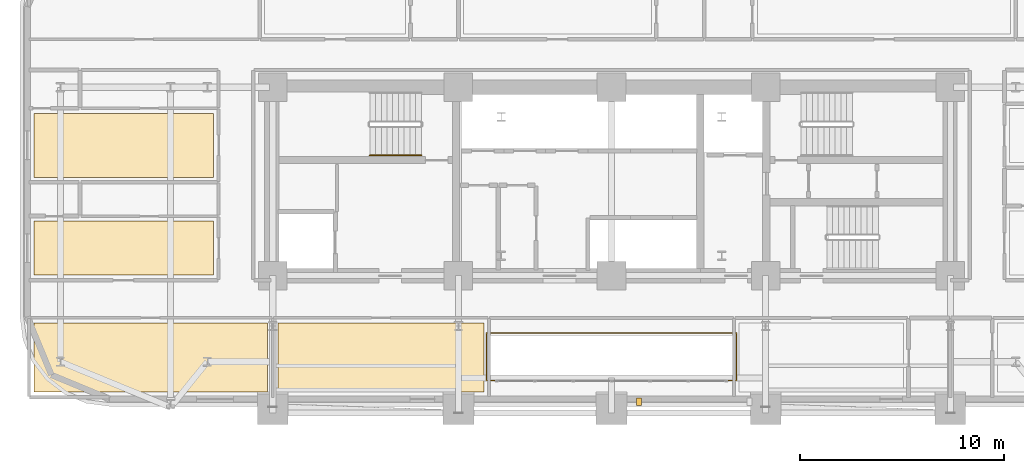
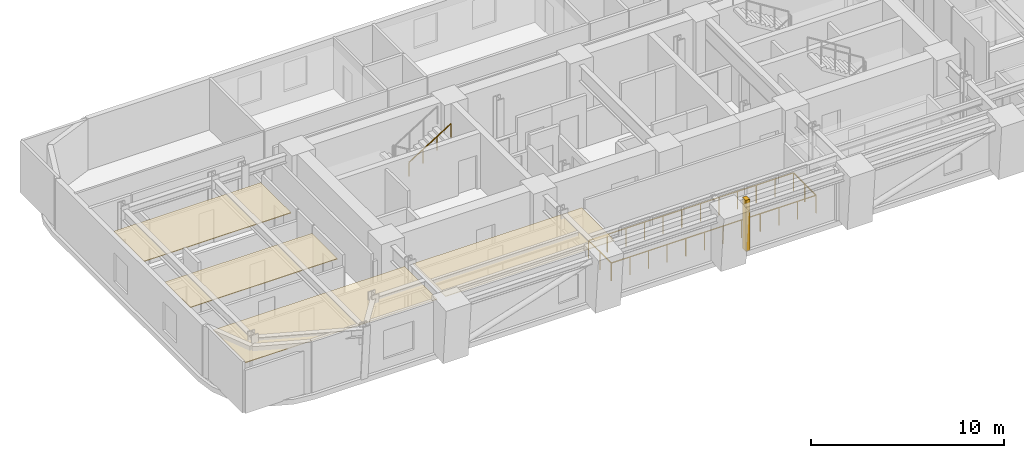
# One storey, part 13 of 16: 5 coverings, 2 railings.
"""IFC4 building model written with IfcOpenShell, lengths in metres."""

from ifc_helpers import new_model, si_unit, direction, frame, origin, origin_2d, place, context, subcontext, project, spatial, polyline, rectangle, outline, extrude, material, layer, layer_set, type_object, element, save


model = new_model("IFC4")

# Units and contexts
model_context = context("Model", 3, precision=1e-05, world=origin(), true_north=direction((0.0, 1.0)))
body_context = subcontext(model_context, "Body", "Model", "MODEL_VIEW")
ifc_project = project(units=[si_unit("LENGTHUNIT", "METRE"), si_unit("AREAUNIT", "SQUARE_METRE"), si_unit("VOLUMEUNIT", "CUBIC_METRE"), si_unit("PLANEANGLEUNIT", "RADIAN"), si_unit("MASSUNIT", "GRAM", prefix="KILO")], contexts=[model_context])

# Site, building, storey
site_placement = place(None, origin())
site = spatial("IfcSite", under=ifc_project, at=site_placement, CompositionType="ELEMENT")
building_placement = place(site_placement, origin())
building = spatial("IfcBuilding", under=site, at=building_placement, Name="Zarnavel Station Tower", CompositionType="ELEMENT")
storey_placement = place(building_placement, frame((0.0, 0.0, 53.5)))
storey = spatial("IfcBuildingStorey", under=building, at=storey_placement, Name="L14", CompositionType="ELEMENT", Elevation=53.5)

# Coverings
ifc_material_1 = material(Name="Perforated Gypsum and Mineral-Wool Acoustic Ceiling", Category="concrete")
ifc_layer = layer(ifc_material_1, 0.0400390625)
ifc_layer_set = layer_set([ifc_layer], Name="COV_CEIL_ACOUSTIC")
covering_type_1 = type_object("IfcCoveringType", Name="COV_CEIL_ACOUSTIC", PredefinedType="CEILING", material=ifc_layer_set)
covering_1_placement = place(storey_placement, frame((0.0, 0.0, 2.919921875)))
element("IfcCovering", 1, at=covering_1_placement, inside=storey, type_object=covering_type_1, Name="L14 FNW1R Acoustic Ceiling", PredefinedType="CEILING", context=body_context, shape_type="SweptSolid", body=[
    extrude(outline(polyline([(0.510009765625, 27.85009765625), (9.300048828125, 27.85009765625), (9.300048828125, 30.490966796875), (0.510009765625, 30.490966796875), (0.510009765625, 27.85009765625)])), origin(), (0.0, 0.0, 1.0), 0.0400390625),
])
covering_2_placement = place(storey_placement, frame((0.0, 0.0, 2.919921875)))
element("IfcCovering", 2, at=covering_2_placement, inside=storey, type_object=covering_type_1, Name="L14 FNW2R Acoustic Ceiling", PredefinedType="CEILING", context=body_context, shape_type="SweptSolid", body=[
    extrude(outline(polyline([(0.510009765625, 32.64111328125), (9.300048828125, 32.64111328125), (9.300048828125, 35.777099609375), (0.510009765625, 35.777099609375), (0.510009765625, 32.64111328125)])), origin(), (0.0, 0.0, 1.0), 0.0400390625),
])
covering_3_placement = place(storey_placement, frame((0.0, 0.0, 2.919921875)))
element("IfcCovering", 3, at=covering_3_placement, inside=storey, type_object=covering_type_1, Name="L14 Z1BIZ Acoustic Ceiling", PredefinedType="CEILING", context=body_context, shape_type="SweptSolid", body=[
    extrude(outline(polyline([(0.510009765625, 22.110107421875), (11.949951171875, 22.110107421875), (11.949951171875, 25.5), (0.510009765625, 25.5), (0.510009765625, 22.110107421875)])), origin(), (0.0, 0.0, 1.0), 0.0400390625),
])
covering_4_placement = place(storey_placement, frame((0.0, 0.0, 2.919921875)))
element("IfcCovering", 4, at=covering_4_placement, inside=storey, type_object=covering_type_1, Name="L14 Z1BRD Acoustic Ceiling", PredefinedType="CEILING", context=body_context, shape_type="SweptSolid", body=[
    extrude(outline(polyline([(12.449951171875, 22.110107421875), (22.550048828125, 22.110107421875), (22.550048828125, 25.5), (12.449951171875, 25.5), (12.449951171875, 22.110107421875)])), origin(), (0.0, 0.0, 1.0), 0.0400390625),
])
ifc_material_2 = material(Name="Precast concrete C45/55 (Pale Travertine Slab Band)", Category="masonry")
covering_type_2 = type_object("IfcCoveringType", Name="COV_TRAVERTINE_BAND", PredefinedType="CLADDING", material=ifc_material_2)
covering_5_placement = place(storey_placement, frame((30.14990234375, 21.64990234375, 0.0), z_axis=(0.0, 0.0, 1.0), x_axis=(1.0, 0.0, 0.0)))
element("IfcCovering", 5, at=covering_5_placement, inside=storey, type_object=covering_type_2, Name="L14 Travertine Portal Loggia Vertical Jog West", PredefinedType="CLADDING", context=body_context, shape_type="SweptSolid", body=[
    extrude(rectangle(XDim=0.239990234375, YDim=0.360107421875, at=origin_2d()), origin(), (0.0, 0.0, 1.0), 3.239990234375),
])

# Railings
ifc_material_3 = material(Name="Painted Steel S355J2 Balustrade", Category="steel")
railing_type_1 = type_object("IfcRailingType", Name="GR_INT_1150", PredefinedType="GUARDRAIL", material=ifc_material_3)
railing_1_placement = place(storey_placement, frame((22.679931640625, 22.679931640625, 0.0)))
element("IfcRailing", 6, at=railing_1_placement, inside=storey, type_object=railing_type_1, Name="L14 Atrium Void Guardrail", PredefinedType="GUARDRAIL", context=body_context, shape_type="SweptSolid", body=[
    extrude(rectangle(XDim=0.048095703125, YDim=0.048095703125, at=origin_2d()), frame((0.001953125, 0.0, 1.1259765625), z_axis=(1.0, 0.0, 0.0), x_axis=(0.0, 1.0, 0.0)), (0.0, 0.0, 1.0), 12.236083984375),
    extrude(rectangle(XDim=0.048095703125, YDim=0.048095703125, at=origin_2d()), frame((12.239990234375, 0.001953125, 1.1259765625), z_axis=(0.0, 1.0, 0.0), x_axis=(-1.0, 0.0, 0.0)), (0.0, 0.0, 1.0), 2.336181640625),
    extrude(rectangle(XDim=0.048095703125, YDim=0.048095703125, at=origin_2d()), frame((12.238037109375, 2.340087890625, 1.1259765625), z_axis=(-1.0, 0.0, 0.0), x_axis=(0.0, -1.0, 0.0)), (0.0, 0.0, 1.0), 12.236083984375),
    extrude(rectangle(XDim=0.048095703125, YDim=0.048095703125, at=origin_2d()), frame((0.0, 2.338134765625, 1.1259765625), z_axis=(0.0, -1.0, 0.0), x_axis=(1.0, 0.0, 0.0)), (0.0, 0.0, 1.0), 2.336181640625),
    extrude(rectangle(XDim=0.0419921875, YDim=0.0419921875, at=origin_2d()), origin(), (0.0, 0.0, 1.0), 1.101806640625),
    extrude(rectangle(XDim=0.0419921875, YDim=0.0419921875, at=origin_2d()), frame((1.11279296875, 0.0, 0.0)), (0.0, 0.0, 1.0), 1.101806640625),
    extrude(rectangle(XDim=0.0419921875, YDim=0.0419921875, at=origin_2d()), frame((2.225341796875, 0.0, 0.0)), (0.0, 0.0, 1.0), 1.101806640625),
    extrude(rectangle(XDim=0.0419921875, YDim=0.0419921875, at=origin_2d()), frame((3.338134765625, 0.0, 0.0)), (0.0, 0.0, 1.0), 1.101806640625),
    extrude(rectangle(XDim=0.0419921875, YDim=0.0419921875, at=origin_2d()), frame((4.450927734375, 0.0, 0.0)), (0.0, 0.0, 1.0), 1.101806640625),
    extrude(rectangle(XDim=0.0419921875, YDim=0.0419921875, at=origin_2d()), frame((5.563720703125, 0.0, 0.0)), (0.0, 0.0, 1.0), 1.101806640625),
    extrude(rectangle(XDim=0.0419921875, YDim=0.0419921875, at=origin_2d()), frame((6.67626953125, 0.0, 0.0)), (0.0, 0.0, 1.0), 1.101806640625),
    extrude(rectangle(XDim=0.0419921875, YDim=0.0419921875, at=origin_2d()), frame((7.7890625, 0.0, 0.0)), (0.0, 0.0, 1.0), 1.101806640625),
    extrude(rectangle(XDim=0.0419921875, YDim=0.0419921875, at=origin_2d()), frame((8.90185546875, 0.0, 0.0)), (0.0, 0.0, 1.0), 1.101806640625),
    extrude(rectangle(XDim=0.0419921875, YDim=0.0419921875, at=origin_2d()), frame((10.0146484375, 0.0, 0.0)), (0.0, 0.0, 1.0), 1.101806640625),
    extrude(rectangle(XDim=0.0419921875, YDim=0.0419921875, at=origin_2d()), frame((11.127197265625, 0.0, 0.0)), (0.0, 0.0, 1.0), 1.101806640625),
    extrude(rectangle(XDim=0.0419921875, YDim=0.0419921875, at=origin_2d()), frame((12.239990234375, 0.0, 0.0)), (0.0, 0.0, 1.0), 1.101806640625),
    extrude(rectangle(XDim=0.0419921875, YDim=0.0419921875, at=origin_2d()), frame((12.239990234375, 1.169921875, 0.0)), (0.0, 0.0, 1.0), 1.101806640625),
    extrude(rectangle(XDim=0.0419921875, YDim=0.0419921875, at=origin_2d()), frame((12.239990234375, 2.340087890625, 0.0)), (0.0, 0.0, 1.0), 1.101806640625),
    extrude(rectangle(XDim=0.0419921875, YDim=0.0419921875, at=origin_2d()), frame((11.127197265625, 2.340087890625, 0.0)), (0.0, 0.0, 1.0), 1.101806640625),
    extrude(rectangle(XDim=0.0419921875, YDim=0.0419921875, at=origin_2d()), frame((10.0146484375, 2.340087890625, 0.0)), (0.0, 0.0, 1.0), 1.101806640625),
    extrude(rectangle(XDim=0.0419921875, YDim=0.0419921875, at=origin_2d()), frame((8.90185546875, 2.340087890625, 0.0)), (0.0, 0.0, 1.0), 1.101806640625),
    extrude(rectangle(XDim=0.0419921875, YDim=0.0419921875, at=origin_2d()), frame((7.7890625, 2.340087890625, 0.0)), (0.0, 0.0, 1.0), 1.101806640625),
    extrude(rectangle(XDim=0.0419921875, YDim=0.0419921875, at=origin_2d()), frame((6.67626953125, 2.340087890625, 0.0)), (0.0, 0.0, 1.0), 1.101806640625),
    extrude(rectangle(XDim=0.0419921875, YDim=0.0419921875, at=origin_2d()), frame((5.563720703125, 2.340087890625, 0.0)), (0.0, 0.0, 1.0), 1.101806640625),
    extrude(rectangle(XDim=0.0419921875, YDim=0.0419921875, at=origin_2d()), frame((4.450927734375, 2.340087890625, 0.0)), (0.0, 0.0, 1.0), 1.101806640625),
    extrude(rectangle(XDim=0.0419921875, YDim=0.0419921875, at=origin_2d()), frame((3.338134765625, 2.340087890625, 0.0)), (0.0, 0.0, 1.0), 1.101806640625),
    extrude(rectangle(XDim=0.0419921875, YDim=0.0419921875, at=origin_2d()), frame((2.225341796875, 2.340087890625, 0.0)), (0.0, 0.0, 1.0), 1.101806640625),
    extrude(rectangle(XDim=0.0419921875, YDim=0.0419921875, at=origin_2d()), frame((1.11279296875, 2.340087890625, 0.0)), (0.0, 0.0, 1.0), 1.101806640625),
    extrude(rectangle(XDim=0.0419921875, YDim=0.0419921875, at=origin_2d()), frame((0.0, 2.340087890625, 0.0)), (0.0, 0.0, 1.0), 1.101806640625),
    extrude(rectangle(XDim=0.0419921875, YDim=0.0419921875, at=origin_2d()), frame((0.0, 1.169921875, 0.0)), (0.0, 0.0, 1.0), 1.101806640625),
])
ifc_material_4 = material(Name="Brushed Stainless Steel S355J2 Handrail", Category="steel")
railing_type_2 = type_object("IfcRailingType", Name="HR_STAIR_900", PredefinedType="HANDRAIL", material=ifc_material_4)
railing_2_placement = place(storey_placement, frame((16.9599609375, 33.7099609375, 1.925048828125)))
element("IfcRailing", 7, at=railing_2_placement, inside=storey, type_object=railing_type_2, Name="L14 ST1 stair handrail 2", PredefinedType="HANDRAIL", context=body_context, shape_type="SweptSolid", body=[
    extrude(rectangle(XDim=0.048095703125, YDim=0.048095703125, at=origin_2d()), frame((0.001708984375, 0.0, 0.876953125), z_axis=(0.848007534815, 0.0, 0.529984170421), x_axis=(0.0, 1.0, 0.0)), (0.0, 0.0, 1.0), 2.9677734375),
    extrude(rectangle(XDim=0.0419921875, YDim=0.0419921875, at=origin_2d()), origin(), (0.0, 0.0, 1.0), 0.851806640625),
    extrude(rectangle(XDim=0.0419921875, YDim=0.0419921875, at=origin_2d()), frame((0.840087890625, 0.0, 0.52490234375)), (0.0, 0.0, 1.0), 0.851806640625),
    extrude(rectangle(XDim=0.0419921875, YDim=0.0419921875, at=origin_2d()), frame((1.679931640625, 0.0, 1.050048828125)), (0.0, 0.0, 1.0), 0.851806640625),
    extrude(rectangle(XDim=0.0419921875, YDim=0.0419921875, at=origin_2d()), frame((2.52001953125, 0.0, 1.574951171875)), (0.0, 0.0, 1.0), 0.851806640625),
])

save(model, "model.ifc")
